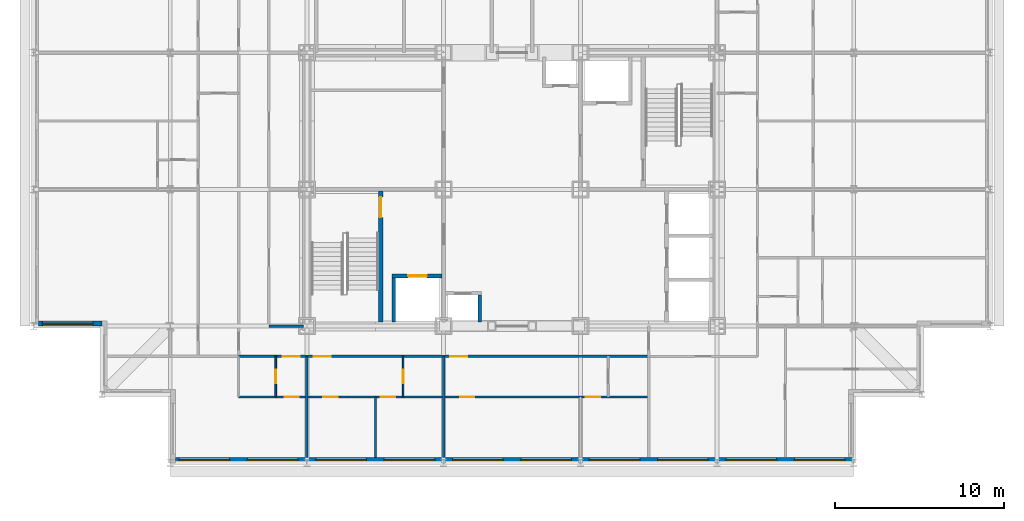
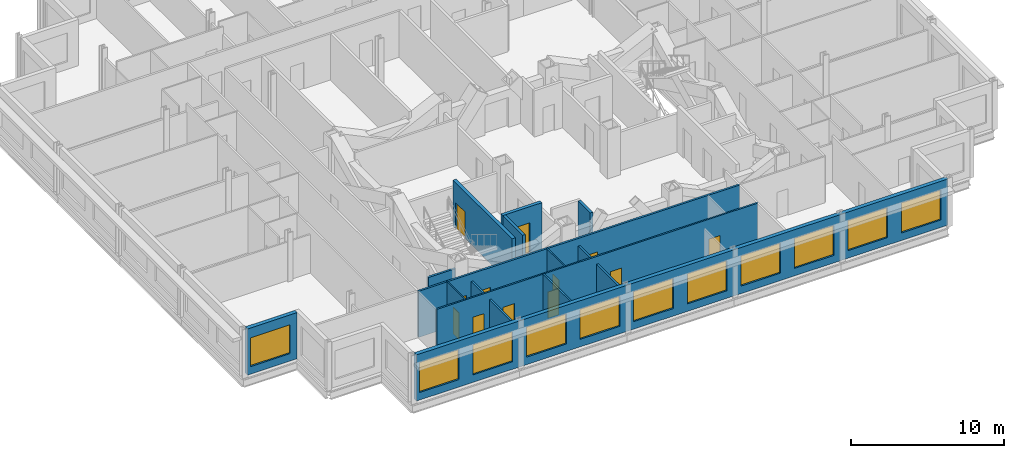
# One storey, part 7 of 15: 14 walls, 12 doors, 11 windows, 23 openings.
"""IFC4 building model written with IfcOpenShell, lengths in metres."""

from ifc_helpers import new_model, si_unit, direction, frame, frame_2d, origin, place, context, subcontext, project, spatial, rectangle, extrude, material, layer, layer_set, type_object, element, fill, save


model = new_model("IFC4")

# Units and contexts
model_context = context("Model", 3, precision=1e-05, world=origin(), true_north=direction((0.0, 1.0)))
body_context = subcontext(model_context, "Body", "Model", "MODEL_VIEW")
ifc_project = project(units=[si_unit("LENGTHUNIT", "METRE"), si_unit("AREAUNIT", "SQUARE_METRE"), si_unit("VOLUMEUNIT", "CUBIC_METRE"), si_unit("PLANEANGLEUNIT", "RADIAN"), si_unit("MASSUNIT", "GRAM", prefix="KILO")], contexts=[model_context])

# Site, building, storey
site_placement = place(None, origin())
site = spatial("IfcSite", under=ifc_project, at=site_placement, CompositionType="ELEMENT")
building_placement = place(site_placement, origin())
building = spatial("IfcBuilding", under=site, at=building_placement, Name="Kopane Lantern Tower", CompositionType="ELEMENT")
storey_placement = place(building_placement, frame((0.0, 0.0, 273.60009765625)))
storey = spatial("IfcBuildingStorey", under=building, at=storey_placement, Name="L70", CompositionType="ELEMENT", Elevation=273.60009765625)

# Wall
ifc_material_1 = material(Name="Gypsum board on steel studs", Category="steel")
ifc_layer_1 = layer(ifc_material_1, 0.1201171875)
ifc_layer_set_1 = layer_set([ifc_layer_1], Name="APARTMENT INTERNAL WALL 120")
wall_type_1 = type_object("IfcWallType", Name="APARTMENT INTERNAL WALL 120", PredefinedType="PARTITIONING", material=ifc_layer_set_1)
wall_1_placement = place(storey_placement, frame((20.25, 20.10009765625, 0.0), z_axis=(0.0, 0.0, 1.0), x_axis=(0.0, -1.0, 0.0)))
element("IfcWall", 1, at=wall_1_placement, inside=storey, type_object=wall_type_1, Name="Apartment Internal Wall 120 L70", PredefinedType="PARTITIONING", context=body_context, shape_type="SweptSolid", body=[
    extrude(rectangle(XDim=3.60009765625, YDim=0.1201171875, at=frame_2d((1.800048828125, 0.0))), origin(), (0.0, 0.0, 1.0), 3.68994140625),
])

# Wall, openings, doors
wall_2_placement = place(storey_placement, frame((12.14990234375, 20.10009765625, 0.0), z_axis=(0.0, 0.0, 1.0), x_axis=(1.0, 0.0, 0.0)))
wall_2 = element("IfcWall", 2, at=wall_2_placement, inside=storey, type_object=wall_type_1, Name="Apartment Internal Wall 120 L70", PredefinedType="PARTITIONING", context=body_context, shape_type="SweptSolid", body=[
    extrude(rectangle(XDim=24.300048828125, YDim=0.1201171875, at=frame_2d((12.14990234375, 0.0))), origin(), (0.0, 0.0, 1.0), 3.68994140625),
])
opening_1_placement = place(wall_2_placement, frame((5.02490234375, 0.0, 0.0)))
opening_1 = element("IfcOpeningElement", 3, at=opening_1_placement, cuts=wall_2, Name="Opening L70-010", PredefinedType="OPENING", context=body_context, shape_type="SweptSolid", body=[
    extrude(rectangle(XDim=0.85009765625, YDim=2.10009765625, at=frame_2d((0.425048828125, 1.050048828125))), frame((0.0, 0.070068359375, 0.0), z_axis=(0.0, -1.0, 0.0), x_axis=(1.0, 0.0, 0.0)), (0.0, 0.0, 1.0), 0.14013671875),
])
opening_2_placement = place(wall_2_placement, frame((8.425048828125, 0.0, 0.0)))
opening_2 = element("IfcOpeningElement", 4, at=opening_2_placement, cuts=wall_2, Name="Opening L70-011", PredefinedType="OPENING", context=body_context, shape_type="SweptSolid", body=[
    extrude(rectangle(XDim=0.85009765625, YDim=2.10009765625, at=frame_2d((0.425048828125, 1.050048828125))), frame((0.0, 0.070068359375, 0.0), z_axis=(0.0, -1.0, 0.0), x_axis=(1.0, 0.0, 0.0)), (0.0, 0.0, 1.0), 0.14013671875),
])
opening_3_placement = place(wall_2_placement, frame((13.125, 0.0, 0.0)))
opening_3 = element("IfcOpeningElement", 5, at=opening_3_placement, cuts=wall_2, Name="Opening L70-014", PredefinedType="OPENING", context=body_context, shape_type="SweptSolid", body=[
    extrude(rectangle(XDim=0.85009765625, YDim=2.10009765625, at=frame_2d((0.425048828125, 1.050048828125))), frame((0.0, 0.070068359375, 0.0), z_axis=(0.0, -1.0, 0.0), x_axis=(1.0, 0.0, 0.0)), (0.0, 0.0, 1.0), 0.14013671875),
])
opening_4_placement = place(wall_2_placement, frame((20.574951171875, 0.0, 0.0)))
opening_4 = element("IfcOpeningElement", 6, at=opening_4_placement, cuts=wall_2, Name="Opening L70-015", PredefinedType="OPENING", context=body_context, shape_type="SweptSolid", body=[
    extrude(rectangle(XDim=0.85009765625, YDim=2.10009765625, at=frame_2d((0.425048828125, 1.050048828125))), frame((0.0, 0.070068359375, 0.0), z_axis=(0.0, -1.0, 0.0), x_axis=(1.0, 0.0, 0.0)), (0.0, 0.0, 1.0), 0.14013671875),
])
opening_5_placement = place(wall_2_placement, frame((2.72509765625, 0.0, 0.0)))
opening_5 = element("IfcOpeningElement", 7, at=opening_5_placement, cuts=wall_2, Name="Opening L70-040", PredefinedType="OPENING", context=body_context, shape_type="SweptSolid", body=[
    extrude(rectangle(XDim=0.85009765625, YDim=2.10009765625, at=frame_2d((0.425048828125, 1.050048828125))), frame((0.0, 0.070068359375, 0.0), z_axis=(0.0, -1.0, 0.0), x_axis=(1.0, 0.0, 0.0)), (0.0, 0.0, 1.0), 0.14013671875),
])
ifc_material_2 = material(Name="Timber door set", Category="wood")
door_type_1 = type_object("IfcDoorType", Name="DOOR D4 850x2100", OperationType="SINGLE_SWING_LEFT", PredefinedType="DOOR", material=ifc_material_2)
door_1_placement = place(opening_1_placement, origin())
door_1 = element("IfcDoor", 8, at=door_1_placement, inside=storey, type_object=door_type_1, Name="Door L70-010", OperationType="SINGLE_SWING_LEFT", OverallHeight=2.10009765625, OverallWidth=0.85009765625, PredefinedType="DOOR", context=body_context, shape_type="SweptSolid", body=[
    extrude(rectangle(XDim=0.85009765625, YDim=2.10009765625, at=frame_2d((0.425048828125, 1.050048828125))), frame((0.0, 0.02490234375, 0.0), z_axis=(0.0, -1.0, 0.0), x_axis=(1.0, 0.0, 0.0)), (0.0, 0.0, 1.0), 0.050048828125),
])
fill(opening_1, door_1)
door_2_placement = place(opening_2_placement, origin())
door_2 = element("IfcDoor", 9, at=door_2_placement, inside=storey, type_object=door_type_1, Name="Door L70-011", OperationType="SINGLE_SWING_RIGHT", OverallHeight=2.10009765625, OverallWidth=0.85009765625, PredefinedType="DOOR", context=body_context, shape_type="SweptSolid", body=[
    extrude(rectangle(XDim=0.85009765625, YDim=2.10009765625, at=frame_2d((0.425048828125, 1.050048828125))), frame((0.0, 0.02490234375, 0.0), z_axis=(0.0, -1.0, 0.0), x_axis=(1.0, 0.0, 0.0)), (0.0, 0.0, 1.0), 0.050048828125),
])
fill(opening_2, door_2)
door_3_placement = place(opening_3_placement, origin())
door_3 = element("IfcDoor", 10, at=door_3_placement, inside=storey, type_object=door_type_1, Name="Door L70-014", OperationType="SINGLE_SWING_RIGHT", OverallHeight=2.10009765625, OverallWidth=0.85009765625, PredefinedType="DOOR", context=body_context, shape_type="SweptSolid", body=[
    extrude(rectangle(XDim=0.85009765625, YDim=2.10009765625, at=frame_2d((0.425048828125, 1.050048828125))), frame((0.0, 0.02490234375, 0.0), z_axis=(0.0, -1.0, 0.0), x_axis=(1.0, 0.0, 0.0)), (0.0, 0.0, 1.0), 0.050048828125),
])
fill(opening_3, door_3)
door_4_placement = place(opening_4_placement, origin())
door_4 = element("IfcDoor", 11, at=door_4_placement, inside=storey, type_object=door_type_1, Name="Door L70-015", OperationType="SINGLE_SWING_RIGHT", OverallHeight=2.10009765625, OverallWidth=0.85009765625, PredefinedType="DOOR", context=body_context, shape_type="SweptSolid", body=[
    extrude(rectangle(XDim=0.85009765625, YDim=2.10009765625, at=frame_2d((0.425048828125, 1.050048828125))), frame((0.0, 0.02490234375, 0.0), z_axis=(0.0, -1.0, 0.0), x_axis=(1.0, 0.0, 0.0)), (0.0, 0.0, 1.0), 0.050048828125),
])
fill(opening_4, door_4)
door_5_placement = place(opening_5_placement, origin())
door_5 = element("IfcDoor", 12, at=door_5_placement, inside=storey, type_object=door_type_1, Name="Door L70-040", OperationType="SINGLE_SWING_LEFT", OverallHeight=2.10009765625, OverallWidth=0.85009765625, PredefinedType="DOOR", context=body_context, shape_type="SweptSolid", body=[
    extrude(rectangle(XDim=0.85009765625, YDim=2.10009765625, at=frame_2d((0.425048828125, 1.050048828125))), frame((0.0, 0.02490234375, 0.0), z_axis=(0.0, -1.0, 0.0), x_axis=(1.0, 0.0, 0.0)), (0.0, 0.0, 1.0), 0.050048828125),
])
fill(opening_5, door_5)

# Wall, opening, door
ifc_material_3 = material(Name="Moisture-resistant board on steel studs", Category="steel")
ifc_layer_2 = layer(ifc_material_3, 0.10009765625)
ifc_layer_set_2 = layer_set([ifc_layer_2], Name="BATHROOM WALL 100")
wall_type_2 = type_object("IfcWallType", Name="BATHROOM WALL 100", PredefinedType="PARTITIONING", material=ifc_layer_set_2)
wall_3_placement = place(storey_placement, frame((21.89990234375, 22.5, 0.0), z_axis=(0.0, 0.0, 1.0), x_axis=(0.0, -1.0, 0.0)))
wall_3 = element("IfcWall", 13, at=wall_3_placement, inside=storey, type_object=wall_type_2, Name="Bathroom Wall 100 L70", PredefinedType="PARTITIONING", context=body_context, shape_type="SweptSolid", body=[
    extrude(rectangle(XDim=2.39990234375, YDim=0.10009765625, at=frame_2d((1.199951171875, 0.0))), origin(), (0.0, 0.0, 1.0), 3.68994140625),
])
opening_6_placement = place(wall_3_placement, frame((0.800048828125, 0.0, 0.0)))
opening_6 = element("IfcOpeningElement", 14, at=opening_6_placement, cuts=wall_3, Name="Opening L70-008", PredefinedType="OPENING", context=body_context, shape_type="SweptSolid", body=[
    extrude(rectangle(XDim=0.800048828125, YDim=2.10009765625, at=frame_2d((0.39990234375, 1.050048828125))), frame((0.0, 0.06005859375, 0.0), z_axis=(0.0, -1.0, 0.0), x_axis=(1.0, 0.0, 0.0)), (0.0, 0.0, 1.0), 0.1201171875),
])
ifc_material_4 = material(Name="Timber door set", Category="wood")
door_type_2 = type_object("IfcDoorType", Name="DOOR D2 800x2100", OperationType="SINGLE_SWING_LEFT", PredefinedType="DOOR", material=ifc_material_4)
door_6_placement = place(opening_6_placement, origin())
door_6 = element("IfcDoor", 15, at=door_6_placement, inside=storey, type_object=door_type_2, Name="Door L70-008", OperationType="SINGLE_SWING_LEFT", OverallHeight=2.10009765625, OverallWidth=0.800048828125, PredefinedType="DOOR", context=body_context, shape_type="SweptSolid", body=[
    extrude(rectangle(XDim=0.800048828125, YDim=2.10009765625, at=frame_2d((0.39990234375, 1.050048828125))), frame((0.0, 0.02490234375, 0.0), z_axis=(0.0, -1.0, 0.0), x_axis=(1.0, 0.0, 0.0)), (0.0, 0.0, 1.0), 0.050048828125),
])
fill(opening_6, door_6)

wall_4_placement = place(storey_placement, frame((14.35009765625, 22.5, 0.0), z_axis=(0.0, 0.0, 1.0), x_axis=(0.0, -1.0, 0.0)))
wall_4 = element("IfcWall", 16, at=wall_4_placement, inside=storey, type_object=wall_type_2, Name="Bathroom Wall 100 L70", PredefinedType="PARTITIONING", context=body_context, shape_type="SweptSolid", body=[
    extrude(rectangle(XDim=2.39990234375, YDim=0.10009765625, at=frame_2d((1.199951171875, 0.0))), origin(), (0.0, 0.0, 1.0), 3.68994140625),
])
opening_7_placement = place(wall_4_placement, frame((0.800048828125, 0.0, 0.0)))
opening_7 = element("IfcOpeningElement", 17, at=opening_7_placement, cuts=wall_4, Name="Opening L70-038", PredefinedType="OPENING", context=body_context, shape_type="SweptSolid", body=[
    extrude(rectangle(XDim=0.800048828125, YDim=2.10009765625, at=frame_2d((0.39990234375, 1.050048828125))), frame((0.0, 0.06005859375, 0.0), z_axis=(0.0, -1.0, 0.0), x_axis=(1.0, 0.0, 0.0)), (0.0, 0.0, 1.0), 0.1201171875),
])
door_7_placement = place(opening_7_placement, origin())
door_7 = element("IfcDoor", 18, at=door_7_placement, inside=storey, type_object=door_type_2, Name="Door L70-038", OperationType="SINGLE_SWING_RIGHT", OverallHeight=2.10009765625, OverallWidth=0.800048828125, PredefinedType="DOOR", context=body_context, shape_type="SweptSolid", body=[
    extrude(rectangle(XDim=0.800048828125, YDim=2.10009765625, at=frame_2d((0.39990234375, 1.050048828125))), frame((0.0, 0.02490234375, 0.0), z_axis=(0.0, -1.0, 0.0), x_axis=(1.0, 0.0, 0.0)), (0.0, 0.0, 1.0), 0.050048828125),
])
fill(opening_7, door_7)

ifc_material_5 = material(Name="Gypsum shaft wall EI 120", Category="gypsum")
ifc_layer_3 = layer(ifc_material_5, 0.25)
ifc_layer_set_3 = layer_set([ifc_layer_3], Name="CORE SHAFT WALL 250 EI 120")
wall_type_3 = type_object("IfcWallType", Name="CORE SHAFT WALL 250 EI 120", PredefinedType="SOLIDWALL", material=ifc_layer_set_3)
wall_5_placement = place(storey_placement, frame((20.574951171875, 24.550048828125, 0.0), z_axis=(0.0, 0.0, 1.0), x_axis=(0.0, 1.0, 0.0)))
wall_5 = element("IfcWall", 19, at=wall_5_placement, inside=storey, type_object=wall_type_3, Name="Core shaft wall L70 XST1", PredefinedType="SOLIDWALL", context=body_context, shape_type="SweptSolid", body=[
    extrude(rectangle(XDim=7.75, YDim=0.25, at=frame_2d((3.875, 0.0))), origin(), (0.0, 0.0, 1.0), 3.68994140625),
])
opening_8_placement = place(wall_5_placement, frame((6.199951171875, 0.0, 0.0)))
opening_8 = element("IfcOpeningElement", 20, at=opening_8_placement, cuts=wall_5, Name="Opening 70.SD1", PredefinedType="OPENING", context=body_context, shape_type="SweptSolid", body=[
    extrude(rectangle(XDim=1.199951171875, YDim=2.10009765625, at=frame_2d((0.60009765625, 1.050048828125))), frame((0.0, 0.135009765625, 0.0), z_axis=(0.0, -1.0, 0.0), x_axis=(1.0, 0.0, 0.0)), (0.0, 0.0, 1.0), 0.27001953125),
])
ifc_material_6 = material(Name="Steel door set", Category="steel")
door_type_3 = type_object("IfcDoorType", Name="STAIR DOOR 1200x2100 FD60S", OperationType="SINGLE_SWING_LEFT", PredefinedType="DOOR", material=ifc_material_6)
door_8_placement = place(opening_8_placement, origin())
door_8 = element("IfcDoor", 21, at=door_8_placement, inside=storey, type_object=door_type_3, Name="Stair door ST1 L70", OperationType="SINGLE_SWING_LEFT", OverallHeight=2.10009765625, OverallWidth=1.199951171875, PredefinedType="DOOR", context=body_context, shape_type="SweptSolid", body=[
    extrude(rectangle(XDim=1.199951171875, YDim=2.10009765625, at=frame_2d((0.60009765625, 1.050048828125))), frame((0.0, 0.02490234375, 0.0), z_axis=(0.0, -1.0, 0.0), x_axis=(1.0, 0.0, 0.0)), (0.0, 0.0, 1.0), 0.050048828125),
])
fill(opening_8, door_8)

wall_6_placement = place(storey_placement, frame((21.25, 27.27490234375, 0.0), z_axis=(0.0, 0.0, 1.0), x_axis=(1.0, 0.0, 0.0)))
wall_6 = element("IfcWall", 22, at=wall_6_placement, inside=storey, type_object=wall_type_3, Name="Core shaft wall L70 YLF1", PredefinedType="SOLIDWALL", context=body_context, shape_type="SweptSolid", body=[
    extrude(rectangle(XDim=2.949951171875, YDim=0.25, at=frame_2d((1.47509765625, 0.0))), origin(), (0.0, 0.0, 1.0), 3.68994140625),
])
opening_9_placement = place(wall_6_placement, frame((0.949951171875, 0.0, 0.0)))
opening_9 = element("IfcOpeningElement", 23, at=opening_9_placement, cuts=wall_6, Name="Opening 70.LD-LF1", PredefinedType="OPENING", context=body_context, shape_type="SweptSolid", body=[
    extrude(rectangle(XDim=1.10009765625, YDim=2.39990234375, at=frame_2d((0.550048828125, 1.199951171875))), frame((0.0, 0.135009765625, 0.0), z_axis=(0.0, -1.0, 0.0), x_axis=(1.0, 0.0, 0.0)), (0.0, 0.0, 1.0), 0.27001953125),
])
ifc_material_7 = material(Name="Steel door set", Category="steel")
door_type_4 = type_object("IfcDoorType", Name="LIFT LANDING DOOR 1100x2400 FD60", OperationType="DOUBLE_DOOR_SLIDING", PredefinedType="DOOR", material=ifc_material_7)
door_9_placement = place(opening_9_placement, origin())
door_9 = element("IfcDoor", 24, at=door_9_placement, inside=storey, type_object=door_type_4, Name="Landing door LF1 L70", OperationType="DOUBLE_DOOR_SLIDING", OverallHeight=2.39990234375, OverallWidth=1.10009765625, PredefinedType="DOOR", context=body_context, shape_type="SweptSolid", body=[
    extrude(rectangle(XDim=1.10009765625, YDim=2.39990234375, at=frame_2d((0.550048828125, 1.199951171875))), frame((0.0, 0.02490234375, 0.0), z_axis=(0.0, -1.0, 0.0), x_axis=(1.0, 0.0, 0.0)), (0.0, 0.0, 1.0), 0.050048828125),
])
fill(opening_9, door_9)

# Wall, openings, doors
ifc_material_8 = material(Name="Gypsum board on steel studs", Category="steel")
ifc_layer_4 = layer(ifc_material_8, 0.14990234375)
ifc_layer_set_4 = layer_set([ifc_layer_4], Name="CORRIDOR WALL 150 EI 60")
wall_type_4 = type_object("IfcWallType", Name="CORRIDOR WALL 150 EI 60", PredefinedType="PARTITIONING", material=ifc_layer_set_4)
wall_7_placement = place(storey_placement, frame((12.14990234375, 22.5, 0.0), z_axis=(0.0, 0.0, 1.0), x_axis=(1.0, 0.0, 0.0)))
wall_7 = element("IfcWall", 25, at=wall_7_placement, inside=storey, type_object=wall_type_4, Name="Corridor Wall 150 Ei 60 L70", PredefinedType="PARTITIONING", context=body_context, shape_type="SweptSolid", body=[
    extrude(rectangle(XDim=24.300048828125, YDim=0.14990234375, at=frame_2d((12.14990234375, 0.0))), origin(), (0.0, 0.0, 1.0), 3.68994140625),
])
opening_10_placement = place(wall_7_placement, frame((4.449951171875, 0.0, 0.0)))
opening_10 = element("IfcOpeningElement", 26, at=opening_10_placement, cuts=wall_7, Name="Opening L70-009", PredefinedType="OPENING", context=body_context, shape_type="SweptSolid", body=[
    extrude(rectangle(XDim=1.0, YDim=2.10009765625, at=frame_2d((0.5, 1.050048828125))), frame((0.0, 0.0849609375, 0.0), z_axis=(0.0, -1.0, 0.0), x_axis=(1.0, 0.0, 0.0)), (0.0, 0.0, 1.0), 0.169921875),
])
opening_11_placement = place(wall_7_placement, frame((12.550048828125, 0.0, 0.0)))
opening_11 = element("IfcOpeningElement", 27, at=opening_11_placement, cuts=wall_7, Name="Opening L70-013", PredefinedType="OPENING", context=body_context, shape_type="SweptSolid", body=[
    extrude(rectangle(XDim=1.0, YDim=2.10009765625, at=frame_2d((0.5, 1.050048828125))), frame((0.0, 0.0849609375, 0.0), z_axis=(0.0, -1.0, 0.0), x_axis=(1.0, 0.0, 0.0)), (0.0, 0.0, 1.0), 0.169921875),
])
opening_12_placement = place(wall_7_placement, frame((2.625, 0.0, 0.0)))
opening_12 = element("IfcOpeningElement", 28, at=opening_12_placement, cuts=wall_7, Name="Opening L70-039", PredefinedType="OPENING", context=body_context, shape_type="SweptSolid", body=[
    extrude(rectangle(XDim=1.0, YDim=2.10009765625, at=frame_2d((0.5, 1.050048828125))), frame((0.0, 0.0849609375, 0.0), z_axis=(0.0, -1.0, 0.0), x_axis=(1.0, 0.0, 0.0)), (0.0, 0.0, 1.0), 0.169921875),
])
ifc_material_9 = material(Name="Steel door set", Category="steel")
door_type_5 = type_object("IfcDoorType", Name="DOOR D3 1000x2100 FD30S", OperationType="SINGLE_SWING_LEFT", PredefinedType="DOOR", material=ifc_material_9)
door_10_placement = place(opening_10_placement, origin())
door_10 = element("IfcDoor", 29, at=door_10_placement, inside=storey, type_object=door_type_5, Name="Door L70-009", OperationType="SINGLE_SWING_RIGHT", OverallHeight=2.10009765625, OverallWidth=1.0, PredefinedType="DOOR", context=body_context, shape_type="SweptSolid", body=[
    extrude(rectangle(XDim=1.0, YDim=2.10009765625, at=frame_2d((0.5, 1.050048828125))), frame((0.0, 0.02490234375, 0.0), z_axis=(0.0, -1.0, 0.0), x_axis=(1.0, 0.0, 0.0)), (0.0, 0.0, 1.0), 0.050048828125),
])
fill(opening_10, door_10)
door_11_placement = place(opening_11_placement, origin())
door_11 = element("IfcDoor", 30, at=door_11_placement, inside=storey, type_object=door_type_5, Name="Door L70-013", OperationType="SINGLE_SWING_RIGHT", OverallHeight=2.10009765625, OverallWidth=1.0, PredefinedType="DOOR", context=body_context, shape_type="SweptSolid", body=[
    extrude(rectangle(XDim=1.0, YDim=2.10009765625, at=frame_2d((0.5, 1.050048828125))), frame((0.0, 0.02490234375, 0.0), z_axis=(0.0, -1.0, 0.0), x_axis=(1.0, 0.0, 0.0)), (0.0, 0.0, 1.0), 0.050048828125),
])
fill(opening_11, door_11)
door_12_placement = place(opening_12_placement, origin())
door_12 = element("IfcDoor", 31, at=door_12_placement, inside=storey, type_object=door_type_5, Name="Door L70-039", OperationType="SINGLE_SWING_RIGHT", OverallHeight=2.10009765625, OverallWidth=1.0, PredefinedType="DOOR", context=body_context, shape_type="SweptSolid", body=[
    extrude(rectangle(XDim=1.0, YDim=2.10009765625, at=frame_2d((0.5, 1.050048828125))), frame((0.0, 0.02490234375, 0.0), z_axis=(0.0, -1.0, 0.0), x_axis=(1.0, 0.0, 0.0)), (0.0, 0.0, 1.0), 0.050048828125),
])
fill(opening_12, door_12)

# Walls
wall_8_placement = place(storey_placement, frame((16.0, 24.300048828125, 0.0), z_axis=(0.0, 0.0, 1.0), x_axis=(-1.0, 0.0, 0.0)))
element("IfcWall", 32, at=wall_8_placement, inside=storey, type_object=wall_type_4, Name="Corridor Wall 150 Ei 60 L70", PredefinedType="PARTITIONING", context=body_context, shape_type="SweptSolid", body=[
    extrude(rectangle(XDim=2.050048828125, YDim=0.14990234375, at=frame_2d((1.02490234375, 0.0))), origin(), (0.0, 0.0, 1.0), 3.07763671875),
])
ifc_material_10 = material(Name="Gypsum board on steel studs", Category="steel")
ifc_layer_5 = layer(ifc_material_10, 0.14990234375)
ifc_layer_set_5 = layer_set([ifc_layer_5], Name="DEMISING WALL 150 EI 60")
wall_type_5 = type_object("IfcWallType", Name="DEMISING WALL 150 EI 60", PredefinedType="PARTITIONING", material=ifc_layer_set_5)
for number, where, z_axis, x_axis, name in (
    (33, (24.300048828125, 22.5, 0.0), (0.0, 0.0, 1.0), (0.0, -1.0, 0.0), "Demising Wall 150 Ei 60 L70"),
    (34, (16.199951171875, 22.5, 0.0), (0.0, 0.0, 1.0), (0.0, -1.0, 0.0), "Demising Wall 150 Ei 60 L70"),
):
    element("IfcWall", number, at=place(storey_placement, frame(where, z_axis=z_axis, x_axis=x_axis)), inside=storey, type_object=wall_type_5, Name=name, PredefinedType="PARTITIONING", context=body_context, shape_type="SweptSolid", body=[
        extrude(rectangle(XDim=6.0, YDim=0.14990234375, at=frame_2d((3.0, 0.0))), origin(), (0.0, 0.0, 1.0), 3.07763671875),
    ])

# Wall, openings, windows
ifc_material_11 = material(Name="Terracotta rainscreen on light steel framing", Category="masonry")
ifc_layer_6 = layer(ifc_material_11, 0.300048828125)
ifc_layer_set_6 = layer_set([ifc_layer_6], Name="EXTERNAL WALL EW1 300 TERRACOTTA")
wall_type_6 = type_object("IfcWallType", Name="EXTERNAL WALL EW1 300 TERRACOTTA", PredefinedType="SOLIDWALL", material=ifc_layer_set_6)
wall_9_placement = place(storey_placement, frame((8.39990234375, 16.35009765625, 0.0), z_axis=(0.0, 0.0, 1.0), x_axis=(1.0, 0.0, 0.0)))
wall_9 = element("IfcWall", 35, at=wall_9_placement, inside=storey, type_object=wall_type_6, Name="External wall S L70", PredefinedType="SOLIDWALL", context=body_context, shape_type="SweptSolid", body=[
    extrude(rectangle(XDim=40.2001953125, YDim=0.300048828125, at=frame_2d((20.10009765625, 0.0))), origin(), (0.0, 0.0, 1.0), 3.68994140625),
])
opening_13_placement = place(wall_9_placement, frame((0.22509765625, 0.0, 0.60009765625)))
opening_13 = element("IfcOpeningElement", 36, at=opening_13_placement, cuts=wall_9, Name="Opening WR300240", PredefinedType="OPENING", context=body_context, shape_type="SweptSolid", body=[
    extrude(rectangle(XDim=3.0, YDim=2.39990234375, at=frame_2d((1.5, 1.199951171875))), frame((0.0, 0.159912109375, 0.0), z_axis=(0.0, -1.0, 0.0), x_axis=(1.0, 0.0, 0.0)), (0.0, 0.0, 1.0), 0.320068359375),
])
opening_14_placement = place(wall_9_placement, frame((4.27490234375, 0.0, 0.60009765625)))
opening_14 = element("IfcOpeningElement", 37, at=opening_14_placement, cuts=wall_9, Name="Opening WR300240", PredefinedType="OPENING", context=body_context, shape_type="SweptSolid", body=[
    extrude(rectangle(XDim=3.0, YDim=2.39990234375, at=frame_2d((1.5, 1.199951171875))), frame((0.0, 0.159912109375, 0.0), z_axis=(0.0, -1.0, 0.0), x_axis=(1.0, 0.0, 0.0)), (0.0, 0.0, 1.0), 0.320068359375),
])
opening_15_placement = place(wall_9_placement, frame((8.324951171875, 0.0, 0.60009765625)))
opening_15 = element("IfcOpeningElement", 38, at=opening_15_placement, cuts=wall_9, Name="Opening WR300240", PredefinedType="OPENING", context=body_context, shape_type="SweptSolid", body=[
    extrude(rectangle(XDim=3.0, YDim=2.39990234375, at=frame_2d((1.5, 1.199951171875))), frame((0.0, 0.159912109375, 0.0), z_axis=(0.0, -1.0, 0.0), x_axis=(1.0, 0.0, 0.0)), (0.0, 0.0, 1.0), 0.320068359375),
])
opening_16_placement = place(wall_9_placement, frame((12.375, 0.0, 0.60009765625)))
opening_16 = element("IfcOpeningElement", 39, at=opening_16_placement, cuts=wall_9, Name="Opening WR300240", PredefinedType="OPENING", context=body_context, shape_type="SweptSolid", body=[
    extrude(rectangle(XDim=3.0, YDim=2.39990234375, at=frame_2d((1.5, 1.199951171875))), frame((0.0, 0.159912109375, 0.0), z_axis=(0.0, -1.0, 0.0), x_axis=(1.0, 0.0, 0.0)), (0.0, 0.0, 1.0), 0.320068359375),
])
opening_17_placement = place(wall_9_placement, frame((16.425048828125, 0.0, 0.60009765625)))
opening_17 = element("IfcOpeningElement", 40, at=opening_17_placement, cuts=wall_9, Name="Opening WR300240", PredefinedType="OPENING", context=body_context, shape_type="SweptSolid", body=[
    extrude(rectangle(XDim=3.0, YDim=2.39990234375, at=frame_2d((1.5, 1.199951171875))), frame((0.0, 0.159912109375, 0.0), z_axis=(0.0, -1.0, 0.0), x_axis=(1.0, 0.0, 0.0)), (0.0, 0.0, 1.0), 0.320068359375),
])
opening_18_placement = place(wall_9_placement, frame((20.47509765625, 0.0, 0.60009765625)))
opening_18 = element("IfcOpeningElement", 41, at=opening_18_placement, cuts=wall_9, Name="Opening WR300240", PredefinedType="OPENING", context=body_context, shape_type="SweptSolid", body=[
    extrude(rectangle(XDim=3.0, YDim=2.39990234375, at=frame_2d((1.5, 1.199951171875))), frame((0.0, 0.159912109375, 0.0), z_axis=(0.0, -1.0, 0.0), x_axis=(1.0, 0.0, 0.0)), (0.0, 0.0, 1.0), 0.320068359375),
])
opening_19_placement = place(wall_9_placement, frame((24.52490234375, 0.0, 0.60009765625)))
opening_19 = element("IfcOpeningElement", 42, at=opening_19_placement, cuts=wall_9, Name="Opening WR300240", PredefinedType="OPENING", context=body_context, shape_type="SweptSolid", body=[
    extrude(rectangle(XDim=3.0, YDim=2.39990234375, at=frame_2d((1.5, 1.199951171875))), frame((0.0, 0.159912109375, 0.0), z_axis=(0.0, -1.0, 0.0), x_axis=(1.0, 0.0, 0.0)), (0.0, 0.0, 1.0), 0.320068359375),
])
opening_20_placement = place(wall_9_placement, frame((28.574951171875, 0.0, 0.60009765625)))
opening_20 = element("IfcOpeningElement", 43, at=opening_20_placement, cuts=wall_9, Name="Opening WR300240", PredefinedType="OPENING", context=body_context, shape_type="SweptSolid", body=[
    extrude(rectangle(XDim=3.0, YDim=2.39990234375, at=frame_2d((1.5, 1.199951171875))), frame((0.0, 0.159912109375, 0.0), z_axis=(0.0, -1.0, 0.0), x_axis=(1.0, 0.0, 0.0)), (0.0, 0.0, 1.0), 0.320068359375),
])
opening_21_placement = place(wall_9_placement, frame((32.625, 0.0, 0.60009765625)))
opening_21 = element("IfcOpeningElement", 44, at=opening_21_placement, cuts=wall_9, Name="Opening WR300240", PredefinedType="OPENING", context=body_context, shape_type="SweptSolid", body=[
    extrude(rectangle(XDim=3.0, YDim=2.39990234375, at=frame_2d((1.5, 1.199951171875))), frame((0.0, 0.159912109375, 0.0), z_axis=(0.0, -1.0, 0.0), x_axis=(1.0, 0.0, 0.0)), (0.0, 0.0, 1.0), 0.320068359375),
])
opening_22_placement = place(wall_9_placement, frame((36.675048828125, 0.0, 0.60009765625)))
opening_22 = element("IfcOpeningElement", 45, at=opening_22_placement, cuts=wall_9, Name="Opening WR300240", PredefinedType="OPENING", context=body_context, shape_type="SweptSolid", body=[
    extrude(rectangle(XDim=3.0, YDim=2.39990234375, at=frame_2d((1.5, 1.199951171875))), frame((0.0, 0.159912109375, 0.0), z_axis=(0.0, -1.0, 0.0), x_axis=(1.0, 0.0, 0.0)), (0.0, 0.0, 1.0), 0.320068359375),
])
ifc_material_12 = material(Name="Aluminium and clear glass", Category="aluminium")
window_type_1 = type_object("IfcWindowType", Name="RIBBON WINDOW WR300240 3000x2400", PartitioningType="SINGLE_PANEL", PredefinedType="WINDOW", material=ifc_material_12)
window_1_placement = place(opening_13_placement, origin())
window_1 = element("IfcWindow", 46, at=window_1_placement, inside=storey, type_object=window_type_1, Name="Window S L70", OverallHeight=2.39990234375, OverallWidth=3.0, PartitioningType="SINGLE_PANEL", PredefinedType="WINDOW", context=body_context, shape_type="SweptSolid", body=[
    extrude(rectangle(XDim=3.0, YDim=2.39990234375, at=frame_2d((1.5, 1.199951171875))), frame((0.0, 0.030029296875, 0.0), z_axis=(0.0, -1.0, 0.0), x_axis=(1.0, 0.0, 0.0)), (0.0, 0.0, 1.0), 0.06005859375),
])
fill(opening_13, window_1)
window_2_placement = place(opening_14_placement, origin())
window_2 = element("IfcWindow", 47, at=window_2_placement, inside=storey, type_object=window_type_1, Name="Window S L70", OverallHeight=2.39990234375, OverallWidth=3.0, PartitioningType="SINGLE_PANEL", PredefinedType="WINDOW", context=body_context, shape_type="SweptSolid", body=[
    extrude(rectangle(XDim=3.0, YDim=2.39990234375, at=frame_2d((1.5, 1.199951171875))), frame((0.0, 0.030029296875, 0.0), z_axis=(0.0, -1.0, 0.0), x_axis=(1.0, 0.0, 0.0)), (0.0, 0.0, 1.0), 0.06005859375),
])
fill(opening_14, window_2)
window_3_placement = place(opening_15_placement, origin())
window_3 = element("IfcWindow", 48, at=window_3_placement, inside=storey, type_object=window_type_1, Name="Window S L70", OverallHeight=2.39990234375, OverallWidth=3.0, PartitioningType="SINGLE_PANEL", PredefinedType="WINDOW", context=body_context, shape_type="SweptSolid", body=[
    extrude(rectangle(XDim=3.0, YDim=2.39990234375, at=frame_2d((1.5, 1.199951171875))), frame((0.0, 0.030029296875, 0.0), z_axis=(0.0, -1.0, 0.0), x_axis=(1.0, 0.0, 0.0)), (0.0, 0.0, 1.0), 0.06005859375),
])
fill(opening_15, window_3)
window_4_placement = place(opening_16_placement, origin())
window_4 = element("IfcWindow", 49, at=window_4_placement, inside=storey, type_object=window_type_1, Name="Window S L70", OverallHeight=2.39990234375, OverallWidth=3.0, PartitioningType="SINGLE_PANEL", PredefinedType="WINDOW", context=body_context, shape_type="SweptSolid", body=[
    extrude(rectangle(XDim=3.0, YDim=2.39990234375, at=frame_2d((1.5, 1.199951171875))), frame((0.0, 0.030029296875, 0.0), z_axis=(0.0, -1.0, 0.0), x_axis=(1.0, 0.0, 0.0)), (0.0, 0.0, 1.0), 0.06005859375),
])
fill(opening_16, window_4)
window_5_placement = place(opening_17_placement, origin())
window_5 = element("IfcWindow", 50, at=window_5_placement, inside=storey, type_object=window_type_1, Name="Window S L70", OverallHeight=2.39990234375, OverallWidth=3.0, PartitioningType="SINGLE_PANEL", PredefinedType="WINDOW", context=body_context, shape_type="SweptSolid", body=[
    extrude(rectangle(XDim=3.0, YDim=2.39990234375, at=frame_2d((1.5, 1.199951171875))), frame((0.0, 0.030029296875, 0.0), z_axis=(0.0, -1.0, 0.0), x_axis=(1.0, 0.0, 0.0)), (0.0, 0.0, 1.0), 0.06005859375),
])
fill(opening_17, window_5)
window_6_placement = place(opening_18_placement, origin())
window_6 = element("IfcWindow", 51, at=window_6_placement, inside=storey, type_object=window_type_1, Name="Window S L70", OverallHeight=2.39990234375, OverallWidth=3.0, PartitioningType="SINGLE_PANEL", PredefinedType="WINDOW", context=body_context, shape_type="SweptSolid", body=[
    extrude(rectangle(XDim=3.0, YDim=2.39990234375, at=frame_2d((1.5, 1.199951171875))), frame((0.0, 0.030029296875, 0.0), z_axis=(0.0, -1.0, 0.0), x_axis=(1.0, 0.0, 0.0)), (0.0, 0.0, 1.0), 0.06005859375),
])
fill(opening_18, window_6)
window_7_placement = place(opening_19_placement, origin())
window_7 = element("IfcWindow", 52, at=window_7_placement, inside=storey, type_object=window_type_1, Name="Window S L70", OverallHeight=2.39990234375, OverallWidth=3.0, PartitioningType="SINGLE_PANEL", PredefinedType="WINDOW", context=body_context, shape_type="SweptSolid", body=[
    extrude(rectangle(XDim=3.0, YDim=2.39990234375, at=frame_2d((1.5, 1.199951171875))), frame((0.0, 0.030029296875, 0.0), z_axis=(0.0, -1.0, 0.0), x_axis=(1.0, 0.0, 0.0)), (0.0, 0.0, 1.0), 0.06005859375),
])
fill(opening_19, window_7)
window_8_placement = place(opening_20_placement, origin())
window_8 = element("IfcWindow", 53, at=window_8_placement, inside=storey, type_object=window_type_1, Name="Window S L70", OverallHeight=2.39990234375, OverallWidth=3.0, PartitioningType="SINGLE_PANEL", PredefinedType="WINDOW", context=body_context, shape_type="SweptSolid", body=[
    extrude(rectangle(XDim=3.0, YDim=2.39990234375, at=frame_2d((1.5, 1.199951171875))), frame((0.0, 0.030029296875, 0.0), z_axis=(0.0, -1.0, 0.0), x_axis=(1.0, 0.0, 0.0)), (0.0, 0.0, 1.0), 0.06005859375),
])
fill(opening_20, window_8)
window_9_placement = place(opening_21_placement, origin())
window_9 = element("IfcWindow", 54, at=window_9_placement, inside=storey, type_object=window_type_1, Name="Window S L70", OverallHeight=2.39990234375, OverallWidth=3.0, PartitioningType="SINGLE_PANEL", PredefinedType="WINDOW", context=body_context, shape_type="SweptSolid", body=[
    extrude(rectangle(XDim=3.0, YDim=2.39990234375, at=frame_2d((1.5, 1.199951171875))), frame((0.0, 0.030029296875, 0.0), z_axis=(0.0, -1.0, 0.0), x_axis=(1.0, 0.0, 0.0)), (0.0, 0.0, 1.0), 0.06005859375),
])
fill(opening_21, window_9)
window_10_placement = place(opening_22_placement, origin())
window_10 = element("IfcWindow", 55, at=window_10_placement, inside=storey, type_object=window_type_1, Name="Window S L70", OverallHeight=2.39990234375, OverallWidth=3.0, PartitioningType="SINGLE_PANEL", PredefinedType="WINDOW", context=body_context, shape_type="SweptSolid", body=[
    extrude(rectangle(XDim=3.0, YDim=2.39990234375, at=frame_2d((1.5, 1.199951171875))), frame((0.0, 0.030029296875, 0.0), z_axis=(0.0, -1.0, 0.0), x_axis=(1.0, 0.0, 0.0)), (0.0, 0.0, 1.0), 0.06005859375),
])
fill(opening_22, window_10)

# Wall, opening, window
wall_10_placement = place(storey_placement, frame((0.300048828125, 24.449951171875, 0.0), z_axis=(0.0, 0.0, 1.0), x_axis=(1.0, 0.0, 0.0)))
wall_10 = element("IfcWall", 56, at=wall_10_placement, inside=storey, type_object=wall_type_6, Name="External wall S L70", PredefinedType="SOLIDWALL", context=body_context, shape_type="SweptSolid", body=[
    extrude(rectangle(XDim=3.75, YDim=0.300048828125, at=frame_2d((1.875, 0.0))), origin(), (0.0, 0.0, 1.0), 3.68994140625),
])
opening_23_placement = place(wall_10_placement, frame((0.22509765625, 0.0, 0.60009765625)))
opening_23 = element("IfcOpeningElement", 57, at=opening_23_placement, cuts=wall_10, Name="Opening WR300230", PredefinedType="OPENING", context=body_context, shape_type="SweptSolid", body=[
    extrude(rectangle(XDim=3.0, YDim=2.300048828125, at=frame_2d((1.5, 1.14990234375))), frame((0.0, 0.159912109375, 0.0), z_axis=(0.0, -1.0, 0.0), x_axis=(1.0, 0.0, 0.0)), (0.0, 0.0, 1.0), 0.320068359375),
])
ifc_material_13 = material(Name="Aluminium and clear glass", Category="aluminium")
window_type_2 = type_object("IfcWindowType", Name="RIBBON WINDOW WR300230 3000x2300", PartitioningType="SINGLE_PANEL", PredefinedType="WINDOW", material=ifc_material_13)
window_11_placement = place(opening_23_placement, origin())
window_11 = element("IfcWindow", 58, at=window_11_placement, inside=storey, type_object=window_type_2, Name="Window S L70", OverallHeight=2.300048828125, OverallWidth=3.0, PartitioningType="SINGLE_PANEL", PredefinedType="WINDOW", context=body_context, shape_type="SweptSolid", body=[
    extrude(rectangle(XDim=3.0, YDim=2.300048828125, at=frame_2d((1.5, 1.14990234375))), frame((0.0, 0.030029296875, 0.0), z_axis=(0.0, -1.0, 0.0), x_axis=(1.0, 0.0, 0.0)), (0.0, 0.0, 1.0), 0.06005859375),
])
fill(opening_23, window_11)

# Walls
ifc_material_14 = material(Name="Gypsum shaft wall EI 120", Category="gypsum")
ifc_layer_7 = layer(ifc_material_14, 0.199951171875)
ifc_layer_set_7 = layer_set([ifc_layer_7], Name="SHAFT WALL 200 EI 120")
wall_type_7 = type_object("IfcWallType", Name="SHAFT WALL 200 EI 120", PredefinedType="SOLIDWALL", material=ifc_layer_set_7)
wall_11_placement = place(storey_placement, frame((21.35009765625, 24.550048828125, 0.0), z_axis=(0.0, 0.0, 1.0), x_axis=(0.0, 1.0, 0.0)))
element("IfcWall", 59, at=wall_11_placement, inside=storey, type_object=wall_type_7, Name="Core shaft wall L70 XLF1", PredefinedType="SOLIDWALL", context=body_context, shape_type="SweptSolid", body=[
    extrude(rectangle(XDim=2.599853515625, YDim=0.199951171875, at=frame_2d((1.2998046875, 0.0))), origin(), (0.0, 0.0, 1.0), 3.68994140625),
])
wall_12_placement = place(storey_placement, frame((26.449951171875, 24.550048828125, 0.0), z_axis=(0.0, 0.0, 1.0), x_axis=(0.0, 1.0, 0.0)))
element("IfcWall", 60, at=wall_12_placement, inside=storey, type_object=wall_type_7, Name="Core shaft wall L70 XRS1", PredefinedType="SOLIDWALL", context=body_context, shape_type="SweptSolid", body=[
    extrude(rectangle(XDim=1.599853515625, YDim=0.199951171875, at=frame_2d((0.7998046875, 0.0))), origin(), (0.0, 0.0, 1.0), 3.68994140625),
])

save(model, "model.ifc")
